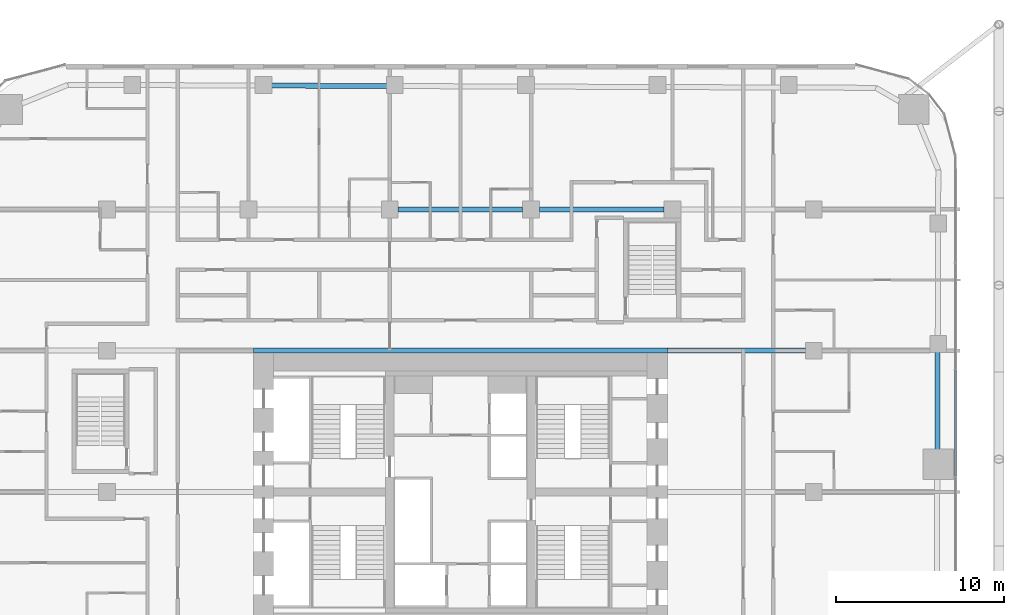
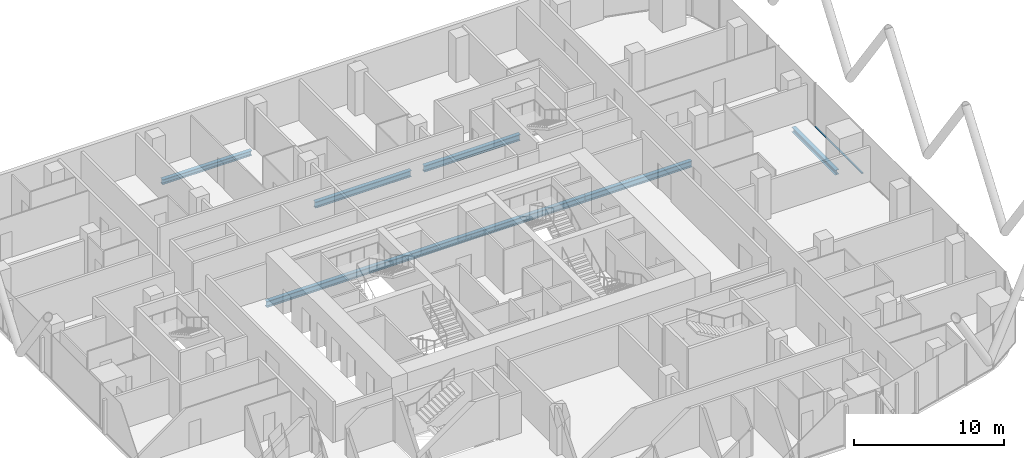
# One storey, part 11 of 34: 6 beams, 1 member, 1 element without a shape of its own.
"""IFC4 building model written with IfcOpenShell, lengths in metres."""

from ifc_helpers import new_model, si_unit, direction, frame, origin, origin_2d, place, context, subcontext, project, spatial, rectangle, i_section, extrude, material, layer, layer_set, material_profile, profile_set, type_object, element, aggregate, save


model = new_model("IFC4")

# Units and contexts
model_context = context("Model", 3, precision=1e-05, world=origin(), true_north=direction((0.0, 1.0)))
body_context = subcontext(model_context, "Body", "Model", "MODEL_VIEW")
ifc_project = project(units=[si_unit("LENGTHUNIT", "METRE"), si_unit("AREAUNIT", "SQUARE_METRE"), si_unit("VOLUMEUNIT", "CUBIC_METRE"), si_unit("PLANEANGLEUNIT", "RADIAN"), si_unit("MASSUNIT", "GRAM", prefix="KILO")], contexts=[model_context])

# Site, building, storey
site_placement = place(None, origin())
site = spatial("IfcSite", under=ifc_project, at=site_placement, CompositionType="ELEMENT")
building_placement = place(site_placement, origin())
building = spatial("IfcBuilding", under=site, at=building_placement, Name="Marenta Gate Hotel Tower", CompositionType="ELEMENT")
storey_placement = place(building_placement, frame((0.0, 0.0, 76.10009765625)))
storey = spatial("IfcBuildingStorey", under=building, at=storey_placement, Name="L17", CompositionType="ELEMENT", Elevation=76.10009765625)

# Beams
ifc_material_1 = material(Name="Steel S355", Category="steel")
ifc_material_profile_1 = material_profile(ifc_material_1, i_section(OverallWidth=0.300048828125, OverallDepth=0.39990234375, WebThickness=0.013427734375, FlangeThickness=0.02392578125, FilletRadius=0.027099609375, at=origin_2d()), Name="HEB 400")
ifc_profile_set_1 = profile_set([ifc_material_profile_1], Name="Steel S355")
beam_type_1 = type_object("IfcBeamType", Name="Edge beam HEB 400", PredefinedType="SPANDREL", material=ifc_profile_set_1)
beam_1_placement = place(storey_placement, frame((-11.244140625, 32.554931640625, -0.460205078125), z_axis=(0.999993064268, -0.003724435008, 0.0), x_axis=(0.003724435008, 0.999993064268, 0.0)))
element("IfcBeam", 1, at=beam_1_placement, inside=storey, type_object=beam_type_1, Name="L17-EB-15", PredefinedType="SPANDREL", context=body_context, shape_type="SweptSolid", body=[
    extrude(i_section(OverallWidth=0.300048828125, OverallDepth=0.39990234375, WebThickness=0.013427734375, FlangeThickness=0.02392578125, FilletRadius=0.027099609375, at=origin_2d()), origin(), (0.0, 0.0, 1.0), 6.8828125),
])
beam_2_placement = place(storey_placement, frame((28.364013671875, 16.7431640625, -0.460205078125), z_axis=(-0.003306389661, -0.999994533879, 0.0), x_axis=(0.999994533879, -0.003306389661, 0.0)))
element("IfcBeam", 2, at=beam_2_placement, inside=storey, type_object=beam_type_1, Name="L17-EB-24", PredefinedType="SPANDREL", context=body_context, shape_type="SweptSolid", body=[
    extrude(i_section(OverallWidth=0.300048828125, OverallDepth=0.39990234375, WebThickness=0.013427734375, FlangeThickness=0.02392578125, FilletRadius=0.027099609375, at=origin_2d()), origin(), (0.0, 0.0, 1.0), 5.833251953125),
])
ifc_material_2 = material(Name="Steel S355", Category="steel")
ifc_material_profile_2 = material_profile(ifc_material_2, i_section(OverallWidth=0.300048828125, OverallDepth=0.5, WebThickness=0.014404296875, FlangeThickness=0.028076171875, FilletRadius=0.027099609375, at=origin_2d()), Name="HEB 500")
ifc_profile_set_2 = profile_set([ifc_material_profile_2], Name="Steel S355")
beam_type_2 = type_object("IfcBeamType", Name="Girder HEB 500", PredefinedType="BEAM", material=ifc_profile_set_2)
beam_3_placement = place(storey_placement, frame((-12.300048828125, 16.800048828125, -0.510009765625), z_axis=(1.0, 0.0, 0.0), x_axis=(0.0, 1.0, 0.0)))
element("IfcBeam", 3, at=beam_3_placement, inside=storey, type_object=beam_type_2, Name="L17-GD-19", PredefinedType="BEAM", context=body_context, shape_type="SweptSolid", body=[
    extrude(i_section(OverallWidth=0.300048828125, OverallDepth=0.5, WebThickness=0.014404296875, FlangeThickness=0.028076171875, FilletRadius=0.027099609375, at=origin_2d()), origin(), (0.0, 0.0, 1.0), 24.60009765625),
])
beam_4_placement = place(storey_placement, frame((12.300048828125, 16.800048828125, -0.510009765625), z_axis=(1.0, 0.0, 0.0), x_axis=(0.0, 1.0, 0.0)))
element("IfcBeam", 4, at=beam_4_placement, inside=storey, type_object=beam_type_2, Name="L17-GD-20", PredefinedType="BEAM", context=body_context, shape_type="SweptSolid", body=[
    extrude(i_section(OverallWidth=0.300048828125, OverallDepth=0.5, WebThickness=0.014404296875, FlangeThickness=0.028076171875, FilletRadius=0.027099609375, at=origin_2d()), origin(), (0.0, 0.0, 1.0), 8.199951171875),
])
beam_5_placement = place(storey_placement, frame((-3.699951171875, 25.199951171875, -0.510009765625), z_axis=(1.0, 0.0, 0.0), x_axis=(0.0, 1.0, 0.0)))
element("IfcBeam", 5, at=beam_5_placement, inside=storey, type_object=beam_type_2, Name="L17-GD-25", PredefinedType="BEAM", context=body_context, shape_type="SweptSolid", body=[
    extrude(i_section(OverallWidth=0.300048828125, OverallDepth=0.5, WebThickness=0.014404296875, FlangeThickness=0.028076171875, FilletRadius=0.027099609375, at=origin_2d()), origin(), (0.0, 0.0, 1.0), 7.39990234375),
])
beam_6_placement = place(storey_placement, frame((4.699951171875, 25.199951171875, -0.510009765625), z_axis=(1.0, 0.0, 0.0), x_axis=(0.0, 1.0, 0.0)))
element("IfcBeam", 6, at=beam_6_placement, inside=storey, type_object=beam_type_2, Name="L17-GD-26", PredefinedType="BEAM", context=body_context, shape_type="SweptSolid", body=[
    extrude(i_section(OverallWidth=0.300048828125, OverallDepth=0.5, WebThickness=0.014404296875, FlangeThickness=0.028076171875, FilletRadius=0.027099609375, at=origin_2d()), origin(), (0.0, 0.0, 1.0), 7.400146484375),
])

# Curtain wall, member
ifc_material_3 = material(Name="Tinted insulated glass in bronze anodised frame", Category="glass")
ifc_layer = layer(ifc_material_3, 0.1201171875)
ifc_layer_set = layer_set([ifc_layer], Name="Tinted insulated glass in bronze anodised frame")
curtain_wall_type = type_object("IfcCurtainWallType", Name="Tower unitised curtain wall CW1", PredefinedType="NOTDEFINED", material=ifc_layer_set)
curtain_wall_placement = place(storey_placement, origin())
curtain_wall = element("IfcCurtainWall", 7, at=curtain_wall_placement, inside=storey, type_object=curtain_wall_type, Name="CW1 run G18", PredefinedType="NOTDEFINED")
ifc_material_4 = material(Name="Bronze anodised aluminium", Category="aluminium")
ifc_material_profile_3 = material_profile(ifc_material_4, rectangle(XDim=0.1201171875, YDim=0.06005859375, at=origin_2d()), Name="Transom CW1 60x120 bronze anodised aluminium")
ifc_profile_set_3 = profile_set([ifc_material_profile_3], Name="Bronze anodised aluminium")
member_type = type_object("IfcMemberType", Name="Transom CW1 60x120 bronze anodised aluminium", PredefinedType="USERDEFINED", material=ifc_profile_set_3)
member_placement = place(storey_placement, frame((29.4140625, 9.342041015625, 0.02978515625), z_axis=(0.0, 1.0, 0.0), x_axis=(-1.0, 0.0, 0.0)))
member = element("IfcMember", 8, at=member_placement, type_object=member_type, Name="CW1 transom 4.1", ObjectType="TRANSOM", PredefinedType="USERDEFINED", context=body_context, shape_type="SweptSolid", body=[
    extrude(rectangle(XDim=0.1201171875, YDim=0.06005859375, at=origin_2d()), origin(), (0.0, 0.0, 1.0), 6.2998046875),
])
aggregate(curtain_wall, [member])

save(model, "model.ifc")
